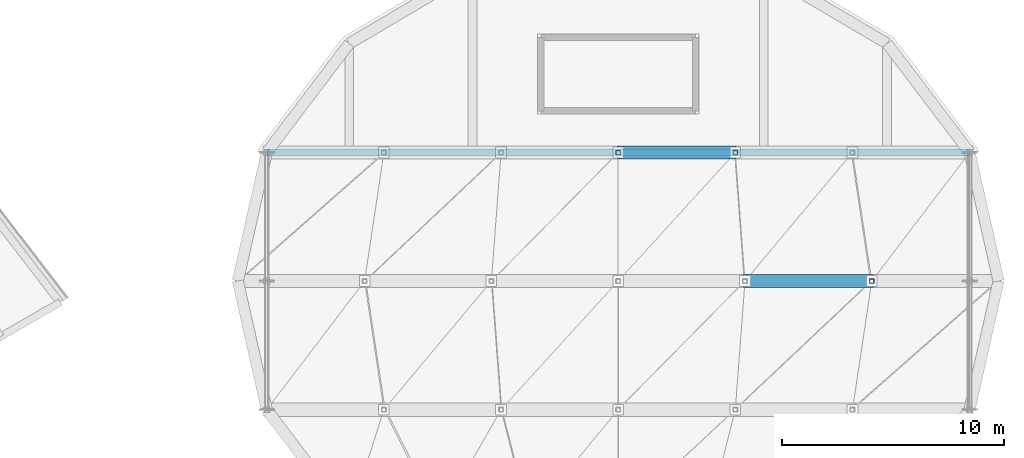
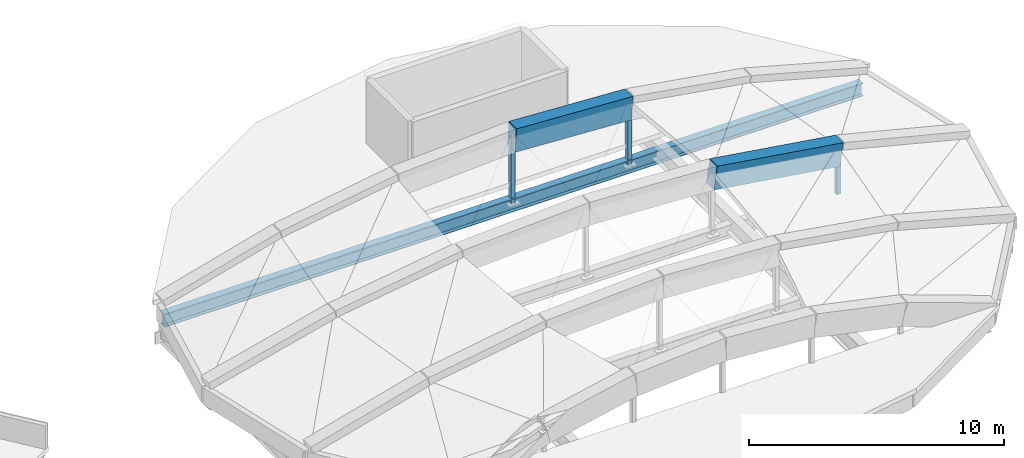
# One storey, part 64 of 88: 3 beams, 3 members.
"""IFC4 building model written with IfcOpenShell, lengths in metres."""

from ifc_helpers import new_model, si_unit, direction, frame, origin, origin_2d, place, context, subcontext, project, spatial, rectangle, hollow_rectangle, i_section, extrude, material, material_profile, profile_set, type_object, element, save


model = new_model("IFC4")

# Units and contexts
model_context = context("Model", 3, precision=1e-05, world=origin(), true_north=direction((0.0, 1.0)))
body_context = subcontext(model_context, "Body", "Model", "MODEL_VIEW")
ifc_project = project(units=[si_unit("LENGTHUNIT", "METRE"), si_unit("AREAUNIT", "SQUARE_METRE"), si_unit("VOLUMEUNIT", "CUBIC_METRE"), si_unit("PLANEANGLEUNIT", "RADIAN"), si_unit("MASSUNIT", "GRAM", prefix="KILO")], contexts=[model_context])

# Site, building, storey
site_placement = place(None, origin())
site = spatial("IfcSite", under=ifc_project, at=site_placement, CompositionType="ELEMENT")
building_placement = place(site_placement, origin())
building = spatial("IfcBuilding", under=site, at=building_placement, Name="Vespera Passage Community Centre", CompositionType="ELEMENT")
storey_placement = place(building_placement, frame((0.0, 0.0, 16.5)))
storey = spatial("IfcBuildingStorey", under=building, at=storey_placement, Name="L04", CompositionType="ELEMENT", Elevation=16.5)

# Beams
ifc_material_1 = material(Name="Concrete f'c 45 MPa", Category="concrete")
ifc_material_profile_1 = material_profile(ifc_material_1, rectangle(XDim=0.60009765625, YDim=1.10009765625, at=origin_2d()), Name="RC600X1100")
ifc_profile_set_1 = profile_set([ifc_material_profile_1], Name="Concrete f'c 45 MPa")
beam_type_1 = type_object("IfcBeamType", Name="BM-AR-600X1100", PredefinedType="USERDEFINED", material=ifc_profile_set_1)
beam_1_placement = place(storey_placement, frame((148.699951171875, 89.5, 1.89111328125), z_axis=(0.988636492345, 0.0, -0.150325932575), x_axis=(0.0, 1.0, 0.0)))
element("IfcBeam", 1, at=beam_1_placement, inside=storey, type_object=beam_type_1, Name="Sports Hall Arched Rib 3.5", ObjectType="ARCH RIB", PredefinedType="USERDEFINED", context=body_context, shape_type="SweptSolid", body=[
    extrude(rectangle(XDim=0.60009765625, YDim=1.10009765625, at=origin_2d()), origin(), (0.0, 0.0, 1.0), 5.765380859375),
])
beam_2_placement = place(storey_placement, frame((143.0, 95.278564453125, 2.179931640625), z_axis=(0.998499414303, 0.0, -0.054762392542), x_axis=(0.0, 1.0, 0.0)))
element("IfcBeam", 2, at=beam_2_placement, inside=storey, type_object=beam_type_1, Name="Sports Hall Arched Rib 4.4", ObjectType="ARCH RIB", PredefinedType="USERDEFINED", context=body_context, shape_type="SweptSolid", body=[
    extrude(rectangle(XDim=0.60009765625, YDim=1.10009765625, at=origin_2d()), origin(), (0.0, 0.0, 1.0), 5.27392578125),
])
ifc_material_2 = material(Name="Steel ASTM A992 Grade 50", Category="steel")
ifc_material_profile_2 = material_profile(ifc_material_2, i_section(OverallWidth=0.32763671875, OverallDepth=0.62841796875, WebThickness=0.0166015625, FlangeThickness=0.027587890625, FilletRadius=0.0126953125, at=origin_2d()), Name="W24X146")
ifc_profile_set_2 = profile_set([ifc_material_profile_2], Name="Steel ASTM A992 Grade 50")
beam_type_2 = type_object("IfcBeamType", Name="BM-G-W24X146", PredefinedType="BEAM", material=ifc_profile_set_2)
beam_3_placement = place(storey_placement, frame((127.20166015625, 95.278564453125, -0.989990234375), z_axis=(1.0, 0.0, 0.0), x_axis=(0.0, 1.0, 0.0)))
element("IfcBeam", 3, at=beam_3_placement, inside=storey, type_object=beam_type_2, Name="Sports Hall Arch Tie Girder 4", PredefinedType="BEAM", context=body_context, shape_type="SweptSolid", body=[
    extrude(i_section(OverallWidth=0.32763671875, OverallDepth=0.62841796875, WebThickness=0.0166015625, FlangeThickness=0.027587890625, FilletRadius=0.0126953125, at=origin_2d()), origin(), (0.0, 0.0, 1.0), 31.5966796875),
])

# Members
ifc_material_3 = material(Name="Steel ASTM A500 Grade C", Category="steel")
ifc_material_profile_3 = material_profile(ifc_material_3, hollow_rectangle(XDim=0.203125, YDim=0.203125, WallThickness=0.01171875, InnerFilletRadius=0.01171875, OuterFilletRadius=0.023681640625, at=origin_2d()), Name="HSS203X203X12.7")
ifc_profile_set_3 = profile_set([ifc_material_profile_3], Name="Steel ASTM A500 Grade C")
member_type = type_object("IfcMemberType", Name="SS-203", PredefinedType="STRUT", material=ifc_profile_set_3)
member_1_placement = place(storey_placement, frame((154.39990234375, 89.5, -0.989990234375), z_axis=(0.0, 0.0, 1.0), x_axis=(1.0, 0.0, 0.0)))
element("IfcMember", 4, at=member_1_placement, inside=storey, type_object=member_type, Name="Sports Hall Arch Rib 3 Bowstring Post 5", PredefinedType="STRUT", context=body_context, shape_type="SweptSolid", body=[
    extrude(hollow_rectangle(XDim=0.203125, YDim=0.203125, WallThickness=0.01171875, InnerFilletRadius=0.01171875, OuterFilletRadius=0.023681640625, at=origin_2d()), origin(), (0.0, 0.0, 1.0), 2.014404296875),
])
member_2_placement = place(storey_placement, frame((143.0, 95.278564453125, -0.989990234375), z_axis=(0.0, 0.0, 1.0), x_axis=(1.0, 0.0, 0.0)))
element("IfcMember", 5, at=member_2_placement, inside=storey, type_object=member_type, Name="Sports Hall Arch Rib 4 Bowstring Post 3", PredefinedType="STRUT", context=body_context, shape_type="SweptSolid", body=[
    extrude(hollow_rectangle(XDim=0.203125, YDim=0.203125, WallThickness=0.01171875, InnerFilletRadius=0.01171875, OuterFilletRadius=0.023681640625, at=origin_2d()), origin(), (0.0, 0.0, 1.0), 3.169921875),
])
member_3_placement = place(storey_placement, frame((148.26611328125, 95.278564453125, -0.989990234375), z_axis=(0.0, 0.0, 1.0), x_axis=(1.0, 0.0, 0.0)))
element("IfcMember", 6, at=member_3_placement, inside=storey, type_object=member_type, Name="Sports Hall Arch Rib 4 Bowstring Post 4", PredefinedType="STRUT", context=body_context, shape_type="SweptSolid", body=[
    extrude(hollow_rectangle(XDim=0.203125, YDim=0.203125, WallThickness=0.01171875, InnerFilletRadius=0.01171875, OuterFilletRadius=0.023681640625, at=origin_2d()), origin(), (0.0, 0.0, 1.0), 2.881103515625),
])

save(model, "model.ifc")
